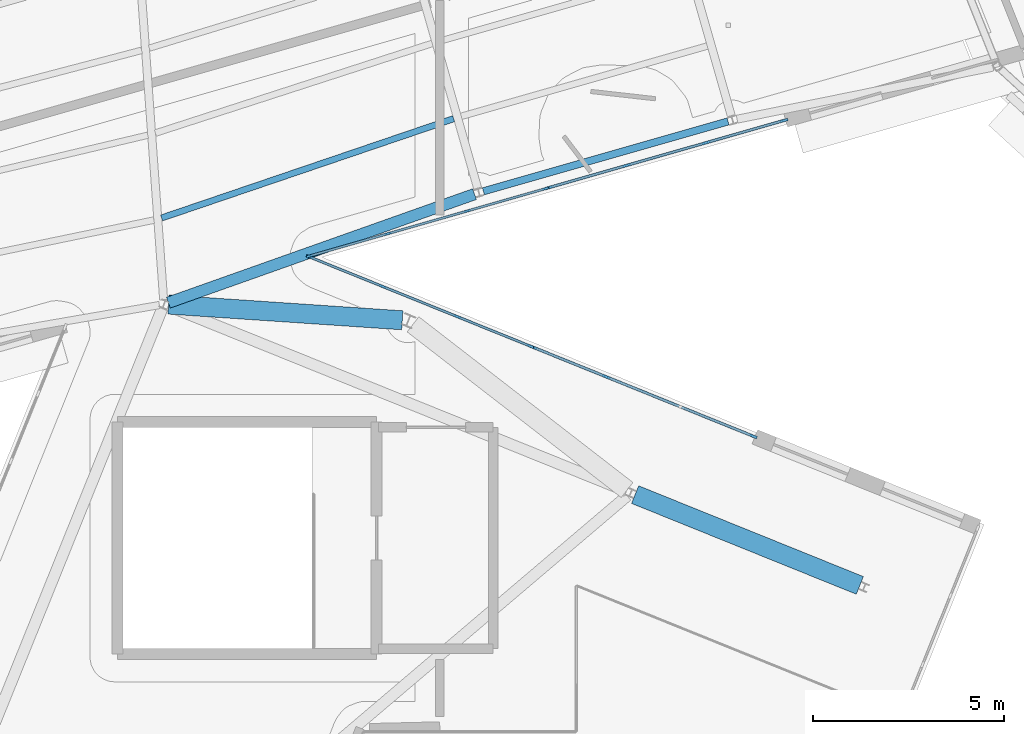
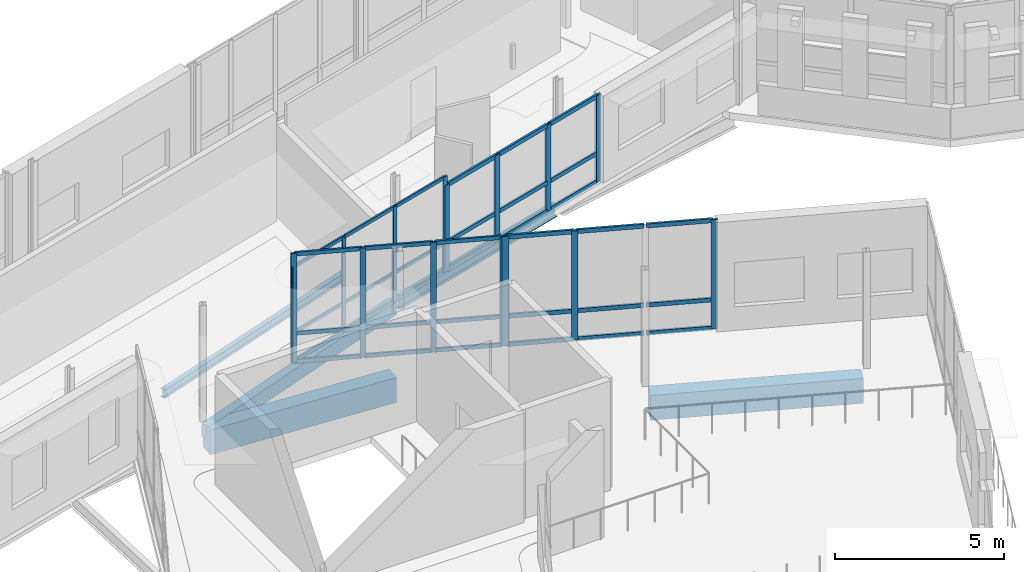
# One storey, part 44 of 125: 51 members, 5 beams, 4 elements without a shape of their own.
"""IFC4 building model written with IfcOpenShell, lengths in metres."""

from ifc_helpers import new_model, si_unit, direction, frame, origin, origin_2d, place, context, subcontext, project, spatial, rectangle, i_section, extrude, material, material_profile, profile_set, type_object, element, aggregate, save


model = new_model("IFC4")

# Units and contexts
model_context = context("Model", 3, precision=1e-05, world=origin(), true_north=direction((0.0, 1.0)))
body_context = subcontext(model_context, "Body", "Model", "MODEL_VIEW")
ifc_project = project(units=[si_unit("LENGTHUNIT", "METRE"), si_unit("AREAUNIT", "SQUARE_METRE"), si_unit("VOLUMEUNIT", "CUBIC_METRE"), si_unit("PLANEANGLEUNIT", "RADIAN"), si_unit("MASSUNIT", "GRAM", prefix="KILO")], contexts=[model_context])

# Site, building, storey
site_placement = place(None, origin())
site = spatial("IfcSite", under=ifc_project, at=site_placement, CompositionType="ELEMENT")
building_placement = place(site_placement, origin())
building = spatial("IfcBuilding", under=site, at=building_placement, Name="Wrenclough Park School", CompositionType="ELEMENT")
storey_placement = place(building_placement, frame((0.0, 0.0, 4.199951171875)))
storey = spatial("IfcBuildingStorey", under=building, at=storey_placement, Name="L01", CompositionType="ELEMENT", Elevation=4.199951171875)

# Curtain wall, members
ifc_material_1 = material(Name="Thermally broken aluminium and low-e glass curtain wall", Category="aluminium")
curtain_wall_type_1 = type_object("IfcCurtainWallType", Name="ENV-CW-12", PredefinedType="USERDEFINED", material=ifc_material_1)
curtain_wall_1_placement = place(storey_placement, origin())
curtain_wall_1 = element("IfcCurtainWall", 1, at=curtain_wall_1_placement, inside=storey, type_object=curtain_wall_type_1, Name="L01 recessed curtain wall assembly 171", ObjectType="CURTAIN WALL", PredefinedType="USERDEFINED")
ifc_material_2 = material(Name="Thermally broken anodised aluminium", Category="aluminium")
ifc_material_profile_1 = material_profile(ifc_material_2, rectangle(XDim=0.06005859375, YDim=0.159912109375, at=origin_2d()), Name="AL MULLION 60x160")
ifc_profile_set_1 = profile_set([ifc_material_profile_1], Name="Thermally broken anodised aluminium")
member_type_1 = type_object("IfcMemberType", Name="ENV-CWM-1", PredefinedType="MULLION", material=ifc_profile_set_1)
member_1_placement = place(storey_placement, frame((59.27734375, 97.062744140625, 0.0), z_axis=(0.0, 0.0, 1.0), x_axis=(0.274723159598, -0.961523367152, 0.0)))
member_1 = element("IfcMember", 2, at=member_1_placement, type_object=member_type_1, Name="CW-12 mullion 1", PredefinedType="MULLION", context=body_context, shape_type="SweptSolid", body=[
    extrude(rectangle(XDim=0.06005859375, YDim=0.159912109375, at=origin_2d()), origin(), (0.0, 0.0, 1.0), 3.45703125),
])
member_2_placement = place(storey_placement, frame((57.22265625, 96.475830078125, 0.0), z_axis=(0.0, 0.0, 1.0), x_axis=(0.274723159598, -0.961523367152, 0.0)))
member_2 = element("IfcMember", 3, at=member_2_placement, type_object=member_type_1, Name="CW-12 mullion 2", PredefinedType="MULLION", context=body_context, shape_type="SweptSolid", body=[
    extrude(rectangle(XDim=0.06005859375, YDim=0.159912109375, at=origin_2d()), origin(), (0.0, 0.0, 1.0), 3.45703125),
])
member_3_placement = place(storey_placement, frame((55.13916015625, 95.880615234375, 0.0), z_axis=(0.0, 0.0, 1.0), x_axis=(0.274723159598, -0.961523367152, 0.0)))
member_3 = element("IfcMember", 4, at=member_3_placement, type_object=member_type_1, Name="CW-12 mullion 3", PredefinedType="MULLION", context=body_context, shape_type="SweptSolid", body=[
    extrude(rectangle(XDim=0.06005859375, YDim=0.159912109375, at=origin_2d()), origin(), (0.0, 0.0, 1.0), 3.45703125),
])
member_4_placement = place(storey_placement, frame((53.08447265625, 95.29345703125, 0.0), z_axis=(0.0, 0.0, 1.0), x_axis=(0.274723159598, -0.961523367152, 0.0)))
member_4 = element("IfcMember", 5, at=member_4_placement, type_object=member_type_1, Name="CW-12 mullion 4", PredefinedType="MULLION", context=body_context, shape_type="SweptSolid", body=[
    extrude(rectangle(XDim=0.06005859375, YDim=0.159912109375, at=origin_2d()), origin(), (0.0, 0.0, 1.0), 3.45703125),
])

curtain_wall_type_2 = type_object("IfcCurtainWallType", Name="ENV-CW-13", PredefinedType="USERDEFINED", material=ifc_material_1)
curtain_wall_2_placement = place(storey_placement, origin())
curtain_wall_2 = element("IfcCurtainWall", 6, at=curtain_wall_2_placement, inside=storey, type_object=curtain_wall_type_2, Name="L01 recessed curtain wall assembly 172", ObjectType="CURTAIN WALL", PredefinedType="USERDEFINED")
ifc_material_profile_2 = material_profile(ifc_material_2, rectangle(XDim=0.06494140625, YDim=0.179931640625, at=origin_2d()), Name="AL MULLION 65x180")
ifc_profile_set_2 = profile_set([ifc_material_profile_2], Name="Thermally broken anodised aluminium")
member_type_2 = type_object("IfcMemberType", Name="ENV-CWM-2", PredefinedType="MULLION", material=ifc_profile_set_2)
member_5_placement = place(storey_placement, frame((53.085693359375, 95.2705078125, 0.0), z_axis=(0.0, 0.0, 1.0), x_axis=(0.3746064653, 0.927183906329, 0.0)))
member_5 = element("IfcMember", 7, at=member_5_placement, type_object=member_type_2, Name="CW-13 mullion 1", PredefinedType="MULLION", context=body_context, shape_type="SweptSolid", body=[
    extrude(rectangle(XDim=0.06494140625, YDim=0.179931640625, at=origin_2d()), origin(), (0.0, 0.0, 1.0), 3.93994140625),
])
member_6_placement = place(storey_placement, frame((55.00439453125, 94.4951171875, 0.0), z_axis=(0.0, 0.0, 1.0), x_axis=(0.3746064653, 0.927183906329, 0.0)))
member_6 = element("IfcMember", 8, at=member_6_placement, type_object=member_type_2, Name="CW-13 mullion 2", PredefinedType="MULLION", context=body_context, shape_type="SweptSolid", body=[
    extrude(rectangle(XDim=0.06494140625, YDim=0.179931640625, at=origin_2d()), origin(), (0.0, 0.0, 1.0), 3.93994140625),
])
member_7_placement = place(storey_placement, frame((56.953369140625, 93.707763671875, 0.0), z_axis=(0.0, 0.0, 1.0), x_axis=(0.3746064653, 0.927183906329, 0.0)))
member_7 = element("IfcMember", 9, at=member_7_placement, type_object=member_type_2, Name="CW-13 mullion 3", PredefinedType="MULLION", context=body_context, shape_type="SweptSolid", body=[
    extrude(rectangle(XDim=0.06494140625, YDim=0.179931640625, at=origin_2d()), origin(), (0.0, 0.0, 1.0), 3.93994140625),
])
member_8_placement = place(storey_placement, frame((58.872314453125, 92.932373046875, 0.0), z_axis=(0.0, 0.0, 1.0), x_axis=(0.3746064653, 0.927183906329, 0.0)))
member_8 = element("IfcMember", 10, at=member_8_placement, type_object=member_type_2, Name="CW-13 mullion 4", PredefinedType="MULLION", context=body_context, shape_type="SweptSolid", body=[
    extrude(rectangle(XDim=0.06494140625, YDim=0.179931640625, at=origin_2d()), origin(), (0.0, 0.0, 1.0), 3.93994140625),
])

curtain_wall_type_3 = type_object("IfcCurtainWallType", Name="ENV-CW-11", PredefinedType="USERDEFINED", material=ifc_material_1)
curtain_wall_3_placement = place(storey_placement, origin())
curtain_wall_3 = element("IfcCurtainWall", 11, at=curtain_wall_3_placement, inside=storey, type_object=curtain_wall_type_3, Name="L01 recessed curtain wall assembly 170", ObjectType="CURTAIN WALL", PredefinedType="USERDEFINED")
ifc_material_profile_3 = material_profile(ifc_material_2, rectangle(XDim=0.070068359375, YDim=0.199951171875, at=origin_2d()), Name="AL MULLION 70x200")
ifc_profile_set_3 = profile_set([ifc_material_profile_3], Name="Thermally broken anodised aluminium")
member_type_3 = type_object("IfcMemberType", Name="ENV-CWM-3", PredefinedType="MULLION", material=ifc_profile_set_3)
member_9_placement = place(storey_placement, frame((65.53076171875, 98.849365234375, 0.0), z_axis=(0.0, 0.0, 1.0), x_axis=(0.274708937607, -0.961527430497, 0.0)))
member_9 = element("IfcMember", 12, at=member_9_placement, type_object=member_type_3, Name="CW-11 mullion 1", PredefinedType="MULLION", context=body_context, shape_type="SweptSolid", body=[
    extrude(rectangle(XDim=0.070068359375, YDim=0.199951171875, at=origin_2d()), origin(), (0.0, 0.0, 1.0), 3.132080078125),
])
member_10_placement = place(storey_placement, frame((63.48095703125, 98.263916015625, 0.0), z_axis=(0.0, 0.0, 1.0), x_axis=(0.274708937607, -0.961527430497, 0.0)))
member_10 = element("IfcMember", 13, at=member_10_placement, type_object=member_type_3, Name="CW-11 mullion 2", PredefinedType="MULLION", context=body_context, shape_type="SweptSolid", body=[
    extrude(rectangle(XDim=0.070068359375, YDim=0.199951171875, at=origin_2d()), origin(), (0.0, 0.0, 1.0), 3.132080078125),
])
member_11_placement = place(storey_placement, frame((61.397216796875, 97.66845703125, 0.0), z_axis=(0.0, 0.0, 1.0), x_axis=(0.274708937607, -0.961527430497, 0.0)))
member_11 = element("IfcMember", 14, at=member_11_placement, type_object=member_type_3, Name="CW-11 mullion 3", PredefinedType="MULLION", context=body_context, shape_type="SweptSolid", body=[
    extrude(rectangle(XDim=0.070068359375, YDim=0.199951171875, at=origin_2d()), origin(), (0.0, 0.0, 1.0), 3.132080078125),
])
member_12_placement = place(storey_placement, frame((59.347412109375, 97.0830078125, 0.0), z_axis=(0.0, 0.0, 1.0), x_axis=(0.274708937607, -0.961527430497, 0.0)))
member_12 = element("IfcMember", 15, at=member_12_placement, type_object=member_type_3, Name="CW-11 mullion 4", PredefinedType="MULLION", context=body_context, shape_type="SweptSolid", body=[
    extrude(rectangle(XDim=0.070068359375, YDim=0.199951171875, at=origin_2d()), origin(), (0.0, 0.0, 1.0), 3.132080078125),
])

curtain_wall_type_4 = type_object("IfcCurtainWallType", Name="ENV-CW-14", PredefinedType="USERDEFINED", material=ifc_material_1)
curtain_wall_4_placement = place(storey_placement, origin())
curtain_wall_4 = element("IfcCurtainWall", 16, at=curtain_wall_4_placement, inside=storey, type_object=curtain_wall_type_4, Name="L01 recessed curtain wall assembly 173", ObjectType="CURTAIN WALL", PredefinedType="USERDEFINED")
member_13_placement = place(storey_placement, frame((58.942138671875, 92.904296875, 0.0), z_axis=(0.0, 0.0, 1.0), x_axis=(0.374592832791, 0.927189414101, 0.0)))
member_13 = element("IfcMember", 17, at=member_13_placement, type_object=member_type_3, Name="CW-14 mullion 1", PredefinedType="MULLION", context=body_context, shape_type="SweptSolid", body=[
    extrude(rectangle(XDim=0.070068359375, YDim=0.199951171875, at=origin_2d()), origin(), (0.0, 0.0, 1.0), 3.93994140625),
])
member_14_placement = place(storey_placement, frame((60.85888671875, 92.1298828125, 0.0), z_axis=(0.0, 0.0, 1.0), x_axis=(0.374592832791, 0.927189414101, 0.0)))
member_14 = element("IfcMember", 18, at=member_14_placement, type_object=member_type_3, Name="CW-14 mullion 2", PredefinedType="MULLION", context=body_context, shape_type="SweptSolid", body=[
    extrude(rectangle(XDim=0.070068359375, YDim=0.199951171875, at=origin_2d()), origin(), (0.0, 0.0, 1.0), 3.93994140625),
])
member_15_placement = place(storey_placement, frame((64.724365234375, 90.568115234375, 0.0), z_axis=(0.0, 0.0, 1.0), x_axis=(0.374592832791, 0.927189414101, 0.0)))
member_15 = element("IfcMember", 19, at=member_15_placement, type_object=member_type_3, Name="CW-14 mullion 4", PredefinedType="MULLION", context=body_context, shape_type="SweptSolid", body=[
    extrude(rectangle(XDim=0.070068359375, YDim=0.199951171875, at=origin_2d()), origin(), (0.0, 0.0, 1.0), 3.93994140625),
])

# Member
ifc_material_profile_4 = material_profile(ifc_material_2, rectangle(XDim=0.06005859375, YDim=0.1201171875, at=origin_2d()), Name="AL TRANSOM 60x120")
ifc_profile_set_4 = profile_set([ifc_material_profile_4], Name="Thermally broken anodised aluminium")
member_type_4 = type_object("IfcMemberType", Name="ENV-CWT-1", PredefinedType="USERDEFINED", material=ifc_profile_set_4)
member_16_placement = place(storey_placement, frame((59.24853515625, 97.0546875, 0.030029296875), z_axis=(-0.961528383223, -0.274705602884, 0.0), x_axis=(0.274705602884, -0.961528383223, 0.0)))
member_16 = element("IfcMember", 20, at=member_16_placement, type_object=member_type_4, Name="CW-12 transom 1.1", ObjectType="TRANSOM", PredefinedType="USERDEFINED", context=body_context, shape_type="SweptSolid", body=[
    extrude(rectangle(XDim=0.06005859375, YDim=0.1201171875, at=origin_2d()), origin(), (0.0, 0.0, 1.0), 2.076904296875),
])

member_17_placement = place(storey_placement, frame((59.24853515625, 97.0546875, 1.050048828125), z_axis=(-0.961528383223, -0.274705602884, 0.0), x_axis=(0.274705602884, -0.961528383223, 0.0)))
member_17 = element("IfcMember", 21, at=member_17_placement, type_object=member_type_4, Name="CW-12 transom 1.2", ObjectType="TRANSOM", PredefinedType="USERDEFINED", context=body_context, shape_type="SweptSolid", body=[
    extrude(rectangle(XDim=0.06005859375, YDim=0.1201171875, at=origin_2d()), origin(), (0.0, 0.0, 1.0), 2.076904296875),
])

member_18_placement = place(storey_placement, frame((59.24853515625, 97.0546875, 3.427001953125), z_axis=(-0.961528383223, -0.274705602884, 0.0), x_axis=(0.274705602884, -0.961528383223, 0.0)))
member_18 = element("IfcMember", 22, at=member_18_placement, type_object=member_type_4, Name="CW-12 transom 1.3", ObjectType="TRANSOM", PredefinedType="USERDEFINED", context=body_context, shape_type="SweptSolid", body=[
    extrude(rectangle(XDim=0.06005859375, YDim=0.1201171875, at=origin_2d()), origin(), (0.0, 0.0, 1.0), 2.076904296875),
])

member_19_placement = place(storey_placement, frame((57.19384765625, 96.467529296875, 0.030029296875), z_axis=(-0.961519574928, -0.27473643193, 0.0), x_axis=(0.27473643193, -0.961519574928, 0.0)))
member_19 = element("IfcMember", 23, at=member_19_placement, type_object=member_type_4, Name="CW-12 transom 2.1", ObjectType="TRANSOM", PredefinedType="USERDEFINED", context=body_context, shape_type="SweptSolid", body=[
    extrude(rectangle(XDim=0.06005859375, YDim=0.1201171875, at=origin_2d()), origin(), (0.0, 0.0, 1.0), 2.10693359375),
])

member_20_placement = place(storey_placement, frame((57.19384765625, 96.467529296875, 1.050048828125), z_axis=(-0.961519574928, -0.27473643193, 0.0), x_axis=(0.27473643193, -0.961519574928, 0.0)))
member_20 = element("IfcMember", 24, at=member_20_placement, type_object=member_type_4, Name="CW-12 transom 2.2", ObjectType="TRANSOM", PredefinedType="USERDEFINED", context=body_context, shape_type="SweptSolid", body=[
    extrude(rectangle(XDim=0.06005859375, YDim=0.1201171875, at=origin_2d()), origin(), (0.0, 0.0, 1.0), 2.10693359375),
])

member_21_placement = place(storey_placement, frame((57.19384765625, 96.467529296875, 3.427001953125), z_axis=(-0.961519574928, -0.27473643193, 0.0), x_axis=(0.27473643193, -0.961519574928, 0.0)))
member_21 = element("IfcMember", 25, at=member_21_placement, type_object=member_type_4, Name="CW-12 transom 2.3", ObjectType="TRANSOM", PredefinedType="USERDEFINED", context=body_context, shape_type="SweptSolid", body=[
    extrude(rectangle(XDim=0.06005859375, YDim=0.1201171875, at=origin_2d()), origin(), (0.0, 0.0, 1.0), 2.10693359375),
])

member_22_placement = place(storey_placement, frame((55.1103515625, 95.872314453125, 0.030029296875), z_axis=(-0.961528383223, -0.274705602884, 0.0), x_axis=(0.274705602884, -0.961528383223, 0.0)))
member_22 = element("IfcMember", 26, at=member_22_placement, type_object=member_type_4, Name="CW-12 transom 3.1", ObjectType="TRANSOM", PredefinedType="USERDEFINED", context=body_context, shape_type="SweptSolid", body=[
    extrude(rectangle(XDim=0.06005859375, YDim=0.1201171875, at=origin_2d()), origin(), (0.0, 0.0, 1.0), 2.076904296875),
])

member_23_placement = place(storey_placement, frame((55.1103515625, 95.872314453125, 1.050048828125), z_axis=(-0.961528383223, -0.274705602884, 0.0), x_axis=(0.274705602884, -0.961528383223, 0.0)))
member_23 = element("IfcMember", 27, at=member_23_placement, type_object=member_type_4, Name="CW-12 transom 3.2", ObjectType="TRANSOM", PredefinedType="USERDEFINED", context=body_context, shape_type="SweptSolid", body=[
    extrude(rectangle(XDim=0.06005859375, YDim=0.1201171875, at=origin_2d()), origin(), (0.0, 0.0, 1.0), 2.076904296875),
])

member_24_placement = place(storey_placement, frame((55.1103515625, 95.872314453125, 3.427001953125), z_axis=(-0.961528383223, -0.274705602884, 0.0), x_axis=(0.274705602884, -0.961528383223, 0.0)))
member_24 = element("IfcMember", 28, at=member_24_placement, type_object=member_type_4, Name="CW-12 transom 3.3", ObjectType="TRANSOM", PredefinedType="USERDEFINED", context=body_context, shape_type="SweptSolid", body=[
    extrude(rectangle(XDim=0.06005859375, YDim=0.1201171875, at=origin_2d()), origin(), (0.0, 0.0, 1.0), 2.076904296875),
])

aggregate(curtain_wall_1, [member_1, member_2, member_3, member_4, member_16, member_17, member_18, member_19, member_20, member_21, member_22, member_23, member_24])

ifc_material_profile_5 = material_profile(ifc_material_2, rectangle(XDim=0.06494140625, YDim=0.139892578125, at=origin_2d()), Name="AL TRANSOM 65x140")
ifc_profile_set_5 = profile_set([ifc_material_profile_5], Name="Thermally broken anodised aluminium")
member_type_5 = type_object("IfcMemberType", Name="ENV-CWT-2", PredefinedType="USERDEFINED", material=ifc_profile_set_5)
member_25_placement = place(storey_placement, frame((53.11572265625, 95.25830078125, 0.032470703125), z_axis=(0.927177579424, -0.374622124564, 0.0), x_axis=(0.374622124564, 0.927177579424, 0.0)))
member_25 = element("IfcMember", 29, at=member_25_placement, type_object=member_type_5, Name="CW-13 transom 1.1", ObjectType="TRANSOM", PredefinedType="USERDEFINED", context=body_context, shape_type="SweptSolid", body=[
    extrude(rectangle(XDim=0.06494140625, YDim=0.139892578125, at=origin_2d()), origin(), (0.0, 0.0, 1.0), 2.004638671875),
])

member_26_placement = place(storey_placement, frame((53.11572265625, 95.25830078125, 1.050048828125), z_axis=(0.927177579424, -0.374622124564, 0.0), x_axis=(0.374622124564, 0.927177579424, 0.0)))
member_26 = element("IfcMember", 30, at=member_26_placement, type_object=member_type_5, Name="CW-13 transom 1.2", ObjectType="TRANSOM", PredefinedType="USERDEFINED", context=body_context, shape_type="SweptSolid", body=[
    extrude(rectangle(XDim=0.06494140625, YDim=0.139892578125, at=origin_2d()), origin(), (0.0, 0.0, 1.0), 2.004638671875),
])

member_27_placement = place(storey_placement, frame((53.11572265625, 95.25830078125, 3.907470703125), z_axis=(0.927177579424, -0.374622124564, 0.0), x_axis=(0.374622124564, 0.927177579424, 0.0)))
member_27 = element("IfcMember", 31, at=member_27_placement, type_object=member_type_5, Name="CW-13 transom 1.3", ObjectType="TRANSOM", PredefinedType="USERDEFINED", context=body_context, shape_type="SweptSolid", body=[
    extrude(rectangle(XDim=0.06494140625, YDim=0.139892578125, at=origin_2d()), origin(), (0.0, 0.0, 1.0), 2.004638671875),
])

member_28_placement = place(storey_placement, frame((55.03466796875, 94.48291015625, 0.032470703125), z_axis=(0.92720661933, -0.374550243719, 0.0), x_axis=(0.374550243719, 0.92720661933, 0.0)))
member_28 = element("IfcMember", 32, at=member_28_placement, type_object=member_type_5, Name="CW-13 transom 2.1", ObjectType="TRANSOM", PredefinedType="USERDEFINED", context=body_context, shape_type="SweptSolid", body=[
    extrude(rectangle(XDim=0.06494140625, YDim=0.139892578125, at=origin_2d()), origin(), (0.0, 0.0, 1.0), 2.036865234375),
])

member_29_placement = place(storey_placement, frame((55.03466796875, 94.48291015625, 1.050048828125), z_axis=(0.92720661933, -0.374550243719, 0.0), x_axis=(0.374550243719, 0.92720661933, 0.0)))
member_29 = element("IfcMember", 33, at=member_29_placement, type_object=member_type_5, Name="CW-13 transom 2.2", ObjectType="TRANSOM", PredefinedType="USERDEFINED", context=body_context, shape_type="SweptSolid", body=[
    extrude(rectangle(XDim=0.06494140625, YDim=0.139892578125, at=origin_2d()), origin(), (0.0, 0.0, 1.0), 2.036865234375),
])

member_30_placement = place(storey_placement, frame((55.03466796875, 94.48291015625, 3.907470703125), z_axis=(0.92720661933, -0.374550243719, 0.0), x_axis=(0.374550243719, 0.92720661933, 0.0)))
member_30 = element("IfcMember", 34, at=member_30_placement, type_object=member_type_5, Name="CW-13 transom 2.3", ObjectType="TRANSOM", PredefinedType="USERDEFINED", context=body_context, shape_type="SweptSolid", body=[
    extrude(rectangle(XDim=0.06494140625, YDim=0.139892578125, at=origin_2d()), origin(), (0.0, 0.0, 1.0), 2.036865234375),
])

member_31_placement = place(storey_placement, frame((56.983642578125, 93.695556640625, 0.032470703125), z_axis=(0.927160484487, -0.374664431198, 0.0), x_axis=(0.374664431198, 0.927160484487, 0.0)))
member_31 = element("IfcMember", 35, at=member_31_placement, type_object=member_type_5, Name="CW-13 transom 3.1", ObjectType="TRANSOM", PredefinedType="USERDEFINED", context=body_context, shape_type="SweptSolid", body=[
    extrude(rectangle(XDim=0.06494140625, YDim=0.139892578125, at=origin_2d()), origin(), (0.0, 0.0, 1.0), 2.00439453125),
])

member_32_placement = place(storey_placement, frame((56.983642578125, 93.695556640625, 1.050048828125), z_axis=(0.927160484487, -0.374664431198, 0.0), x_axis=(0.374664431198, 0.927160484487, 0.0)))
member_32 = element("IfcMember", 36, at=member_32_placement, type_object=member_type_5, Name="CW-13 transom 3.2", ObjectType="TRANSOM", PredefinedType="USERDEFINED", context=body_context, shape_type="SweptSolid", body=[
    extrude(rectangle(XDim=0.06494140625, YDim=0.139892578125, at=origin_2d()), origin(), (0.0, 0.0, 1.0), 2.00439453125),
])

member_33_placement = place(storey_placement, frame((56.983642578125, 93.695556640625, 3.907470703125), z_axis=(0.927160484487, -0.374664431198, 0.0), x_axis=(0.374664431198, 0.927160484487, 0.0)))
member_33 = element("IfcMember", 37, at=member_33_placement, type_object=member_type_5, Name="CW-13 transom 3.3", ObjectType="TRANSOM", PredefinedType="USERDEFINED", context=body_context, shape_type="SweptSolid", body=[
    extrude(rectangle(XDim=0.06494140625, YDim=0.139892578125, at=origin_2d()), origin(), (0.0, 0.0, 1.0), 2.00439453125),
])

aggregate(curtain_wall_2, [member_5, member_6, member_7, member_8, member_25, member_26, member_27, member_28, member_29, member_30, member_31, member_32, member_33])

ifc_material_profile_6 = material_profile(ifc_material_2, rectangle(XDim=0.070068359375, YDim=0.14990234375, at=origin_2d()), Name="AL TRANSOM 70x150")
ifc_profile_set_6 = profile_set([ifc_material_profile_6], Name="Thermally broken anodised aluminium")
member_type_6 = type_object("IfcMemberType", Name="ENV-CWT-3", PredefinedType="USERDEFINED", material=ifc_profile_set_6)
member_34_placement = place(storey_placement, frame((65.4970703125, 98.83984375, 0.03515625), z_axis=(-0.961532883041, -0.274689852069, 0.0), x_axis=(0.274689852069, -0.961532883041, 0.0)))
member_34 = element("IfcMember", 38, at=member_34_placement, type_object=member_type_6, Name="CW-11 transom 1.1", ObjectType="TRANSOM", PredefinedType="USERDEFINED", context=body_context, shape_type="SweptSolid", body=[
    extrude(rectangle(XDim=0.070068359375, YDim=0.14990234375, at=origin_2d()), origin(), (0.0, 0.0, 1.0), 2.06201171875),
])

member_35_placement = place(storey_placement, frame((65.4970703125, 98.83984375, 1.050048828125), z_axis=(-0.961532883041, -0.274689852069, 0.0), x_axis=(0.274689852069, -0.961532883041, 0.0)))
member_35 = element("IfcMember", 39, at=member_35_placement, type_object=member_type_6, Name="CW-11 transom 1.2", ObjectType="TRANSOM", PredefinedType="USERDEFINED", context=body_context, shape_type="SweptSolid", body=[
    extrude(rectangle(XDim=0.070068359375, YDim=0.14990234375, at=origin_2d()), origin(), (0.0, 0.0, 1.0), 2.06201171875),
])

member_36_placement = place(storey_placement, frame((65.4970703125, 98.83984375, 3.09716796875), z_axis=(-0.961532883041, -0.274689852069, 0.0), x_axis=(0.274689852069, -0.961532883041, 0.0)))
member_36 = element("IfcMember", 40, at=member_36_placement, type_object=member_type_6, Name="CW-11 transom 1.3", ObjectType="TRANSOM", PredefinedType="USERDEFINED", context=body_context, shape_type="SweptSolid", body=[
    extrude(rectangle(XDim=0.070068359375, YDim=0.14990234375, at=origin_2d()), origin(), (0.0, 0.0, 1.0), 2.06201171875),
])

member_37_placement = place(storey_placement, frame((63.447265625, 98.254150390625, 0.03515625), z_axis=(-0.961545911362, -0.274644243238, 0.0), x_axis=(0.274644243238, -0.961545911362, 0.0)))
member_37 = element("IfcMember", 41, at=member_37_placement, type_object=member_type_6, Name="CW-11 transom 2.1", ObjectType="TRANSOM", PredefinedType="USERDEFINED", context=body_context, shape_type="SweptSolid", body=[
    extrude(rectangle(XDim=0.070068359375, YDim=0.14990234375, at=origin_2d()), origin(), (0.0, 0.0, 1.0), 2.096923828125),
])

member_38_placement = place(storey_placement, frame((63.447265625, 98.254150390625, 1.050048828125), z_axis=(-0.961545911362, -0.274644243238, 0.0), x_axis=(0.274644243238, -0.961545911362, 0.0)))
member_38 = element("IfcMember", 42, at=member_38_placement, type_object=member_type_6, Name="CW-11 transom 2.2", ObjectType="TRANSOM", PredefinedType="USERDEFINED", context=body_context, shape_type="SweptSolid", body=[
    extrude(rectangle(XDim=0.070068359375, YDim=0.14990234375, at=origin_2d()), origin(), (0.0, 0.0, 1.0), 2.096923828125),
])

member_39_placement = place(storey_placement, frame((63.447265625, 98.254150390625, 3.09716796875), z_axis=(-0.961545911362, -0.274644243238, 0.0), x_axis=(0.274644243238, -0.961545911362, 0.0)))
member_39 = element("IfcMember", 43, at=member_39_placement, type_object=member_type_6, Name="CW-11 transom 2.3", ObjectType="TRANSOM", PredefinedType="USERDEFINED", context=body_context, shape_type="SweptSolid", body=[
    extrude(rectangle(XDim=0.070068359375, YDim=0.14990234375, at=origin_2d()), origin(), (0.0, 0.0, 1.0), 2.096923828125),
])

member_40_placement = place(storey_placement, frame((61.36376953125, 97.658935546875, 0.03515625), z_axis=(-0.961532883041, -0.274689852069, 0.0), x_axis=(0.274689852069, -0.961532883041, 0.0)))
member_40 = element("IfcMember", 44, at=member_40_placement, type_object=member_type_6, Name="CW-11 transom 3.1", ObjectType="TRANSOM", PredefinedType="USERDEFINED", context=body_context, shape_type="SweptSolid", body=[
    extrude(rectangle(XDim=0.070068359375, YDim=0.14990234375, at=origin_2d()), origin(), (0.0, 0.0, 1.0), 2.06201171875),
])

member_41_placement = place(storey_placement, frame((61.36376953125, 97.658935546875, 1.050048828125), z_axis=(-0.961532883041, -0.274689852069, 0.0), x_axis=(0.274689852069, -0.961532883041, 0.0)))
member_41 = element("IfcMember", 45, at=member_41_placement, type_object=member_type_6, Name="CW-11 transom 3.2", ObjectType="TRANSOM", PredefinedType="USERDEFINED", context=body_context, shape_type="SweptSolid", body=[
    extrude(rectangle(XDim=0.070068359375, YDim=0.14990234375, at=origin_2d()), origin(), (0.0, 0.0, 1.0), 2.06201171875),
])

member_42_placement = place(storey_placement, frame((61.36376953125, 97.658935546875, 3.09716796875), z_axis=(-0.961532883041, -0.274689852069, 0.0), x_axis=(0.274689852069, -0.961532883041, 0.0)))
member_42 = element("IfcMember", 46, at=member_42_placement, type_object=member_type_6, Name="CW-11 transom 3.3", ObjectType="TRANSOM", PredefinedType="USERDEFINED", context=body_context, shape_type="SweptSolid", body=[
    extrude(rectangle(XDim=0.070068359375, YDim=0.14990234375, at=origin_2d()), origin(), (0.0, 0.0, 1.0), 2.06201171875),
])

aggregate(curtain_wall_3, [member_9, member_10, member_11, member_12, member_34, member_35, member_36, member_37, member_38, member_39, member_40, member_41, member_42])

member_43_placement = place(storey_placement, frame((58.974609375, 92.89111328125, 0.03515625), z_axis=(0.927206734572, -0.374549958435, 0.0), x_axis=(0.374549958435, 0.927206734572, 0.0)))
member_43 = element("IfcMember", 47, at=member_43_placement, type_object=member_type_6, Name="CW-14 transom 1.1", ObjectType="TRANSOM", PredefinedType="USERDEFINED", context=body_context, shape_type="SweptSolid", body=[
    extrude(rectangle(XDim=0.070068359375, YDim=0.14990234375, at=origin_2d()), origin(), (0.0, 0.0, 1.0), 1.9970703125),
])

member_44_placement = place(storey_placement, frame((58.974609375, 92.89111328125, 1.050048828125), z_axis=(0.927206734572, -0.374549958435, 0.0), x_axis=(0.374549958435, 0.927206734572, 0.0)))
member_44 = element("IfcMember", 48, at=member_44_placement, type_object=member_type_6, Name="CW-14 transom 1.2", ObjectType="TRANSOM", PredefinedType="USERDEFINED", context=body_context, shape_type="SweptSolid", body=[
    extrude(rectangle(XDim=0.070068359375, YDim=0.14990234375, at=origin_2d()), origin(), (0.0, 0.0, 1.0), 1.9970703125),
])

member_45_placement = place(storey_placement, frame((58.974609375, 92.89111328125, 3.905029296875), z_axis=(0.927206734572, -0.374549958435, 0.0), x_axis=(0.374549958435, 0.927206734572, 0.0)))
member_45 = element("IfcMember", 49, at=member_45_placement, type_object=member_type_6, Name="CW-14 transom 1.3", ObjectType="TRANSOM", PredefinedType="USERDEFINED", context=body_context, shape_type="SweptSolid", body=[
    extrude(rectangle(XDim=0.070068359375, YDim=0.14990234375, at=origin_2d()), origin(), (0.0, 0.0, 1.0), 1.9970703125),
])

member_46_placement = place(storey_placement, frame((60.89111328125, 92.11669921875, 0.03515625), z_axis=(0.927237023809, -0.374474968025, 0.0), x_axis=(0.374474968025, 0.927237023809, 0.0)))
member_46 = element("IfcMember", 50, at=member_46_placement, type_object=member_type_6, Name="CW-14 transom 2.1", ObjectType="TRANSOM", PredefinedType="USERDEFINED", context=body_context, shape_type="SweptSolid", body=[
    extrude(rectangle(XDim=0.070068359375, YDim=0.14990234375, at=origin_2d()), origin(), (0.0, 0.0, 1.0), 2.0322265625),
])

member_47_placement = place(storey_placement, frame((60.89111328125, 92.11669921875, 1.050048828125), z_axis=(0.927237023809, -0.374474968025, 0.0), x_axis=(0.374474968025, 0.927237023809, 0.0)))
member_47 = element("IfcMember", 51, at=member_47_placement, type_object=member_type_6, Name="CW-14 transom 2.2", ObjectType="TRANSOM", PredefinedType="USERDEFINED", context=body_context, shape_type="SweptSolid", body=[
    extrude(rectangle(XDim=0.070068359375, YDim=0.14990234375, at=origin_2d()), origin(), (0.0, 0.0, 1.0), 2.0322265625),
])

member_48_placement = place(storey_placement, frame((60.89111328125, 92.11669921875, 3.905029296875), z_axis=(0.927237023809, -0.374474968025, 0.0), x_axis=(0.374474968025, 0.927237023809, 0.0)))
member_48 = element("IfcMember", 52, at=member_48_placement, type_object=member_type_6, Name="CW-14 transom 2.3", ObjectType="TRANSOM", PredefinedType="USERDEFINED", context=body_context, shape_type="SweptSolid", body=[
    extrude(rectangle(XDim=0.070068359375, YDim=0.14990234375, at=origin_2d()), origin(), (0.0, 0.0, 1.0), 2.0322265625),
])

member_49_placement = place(storey_placement, frame((62.840087890625, 91.329345703125, 0.03515625), z_axis=(0.927206734572, -0.374549958435, 0.0), x_axis=(0.374549958435, 0.927206734572, 0.0)))
member_49 = element("IfcMember", 53, at=member_49_placement, type_object=member_type_6, Name="CW-14 transom 3.1", ObjectType="TRANSOM", PredefinedType="USERDEFINED", context=body_context, shape_type="SweptSolid", body=[
    extrude(rectangle(XDim=0.070068359375, YDim=0.14990234375, at=origin_2d()), origin(), (0.0, 0.0, 1.0), 1.9970703125),
])

member_50_placement = place(storey_placement, frame((62.840087890625, 91.329345703125, 1.050048828125), z_axis=(0.927206734572, -0.374549958435, 0.0), x_axis=(0.374549958435, 0.927206734572, 0.0)))
member_50 = element("IfcMember", 54, at=member_50_placement, type_object=member_type_6, Name="CW-14 transom 3.2", ObjectType="TRANSOM", PredefinedType="USERDEFINED", context=body_context, shape_type="SweptSolid", body=[
    extrude(rectangle(XDim=0.070068359375, YDim=0.14990234375, at=origin_2d()), origin(), (0.0, 0.0, 1.0), 1.9970703125),
])

member_51_placement = place(storey_placement, frame((62.840087890625, 91.329345703125, 3.905029296875), z_axis=(0.927206734572, -0.374549958435, 0.0), x_axis=(0.374549958435, 0.927206734572, 0.0)))
member_51 = element("IfcMember", 55, at=member_51_placement, type_object=member_type_6, Name="CW-14 transom 3.3", ObjectType="TRANSOM", PredefinedType="USERDEFINED", context=body_context, shape_type="SweptSolid", body=[
    extrude(rectangle(XDim=0.070068359375, YDim=0.14990234375, at=origin_2d()), origin(), (0.0, 0.0, 1.0), 1.9970703125),
])

aggregate(curtain_wall_4, [member_13, member_14, member_15, member_43, member_44, member_45, member_46, member_47, member_48, member_49, member_50, member_51])

# Beams
ifc_material_3 = material(Name="Concrete C32/40", Category="concrete")
ifc_material_profile_7 = material_profile(ifc_material_3, rectangle(XDim=0.300048828125, YDim=0.5, at=origin_2d()), Name="RC BEAM 300x500")
ifc_profile_set_7 = profile_set([ifc_material_profile_7], Name="Concrete C32/40")
beam_type_1 = type_object("IfcBeamType", Name="STR-BM-RC300", PredefinedType="BEAM", material=ifc_profile_set_7)
beam_1_placement = place(storey_placement, frame((49.384033203125, 94.07080078125, -0.489990234375), z_axis=(0.942506696186, 0.334187264337, 0.0), x_axis=(-0.334187264337, 0.942506696186, 0.0)))
element("IfcBeam", 56, at=beam_1_placement, inside=storey, type_object=beam_type_1, Name="W34 L01 longitudinal edge beam R3", PredefinedType="BEAM", context=body_context, shape_type="SweptSolid", body=[
    extrude(rectangle(XDim=0.300048828125, YDim=0.5, at=origin_2d()), origin(), (0.0, 0.0, 1.0), 8.516845703125),
])
ifc_material_4 = material(Name="Concrete C40/50", Category="concrete")
ifc_material_profile_8 = material_profile(ifc_material_4, rectangle(XDim=0.5, YDim=0.89990234375, at=origin_2d()), Name="RC BEAM 500x900")
ifc_profile_set_8 = profile_set([ifc_material_profile_8], Name="Concrete C40/50")
beam_type_2 = type_object("IfcBeamType", Name="STR-BM-RC500", PredefinedType="BEAM", material=ifc_profile_set_8)
beam_2_placement = place(storey_placement, frame((49.390625, 94.021728515625, -0.68994140625), z_axis=(0.997745219303, -0.067115403291, 0.0), x_axis=(0.067115403291, 0.997745219303, 0.0)))
element("IfcBeam", 57, at=beam_2_placement, inside=storey, type_object=beam_type_2, Name="W34 Dining Pavilion L01 frame girder 1.3", PredefinedType="BEAM", context=body_context, shape_type="SweptSolid", body=[
    extrude(rectangle(XDim=0.5, YDim=0.89990234375, at=origin_2d()), origin(), (0.0, 0.0, 1.0), 6.140380859375),
])
beam_3_placement = place(storey_placement, frame((61.62109375, 89.039306640625, -0.68994140625), z_axis=(0.927196942949, -0.374574196905, 0.0), x_axis=(0.374574196905, 0.927196942949, 0.0)))
element("IfcBeam", 58, at=beam_3_placement, inside=storey, type_object=beam_type_2, Name="W34 Dining Pavilion L01 frame girder 5.7", PredefinedType="BEAM", context=body_context, shape_type="SweptSolid", body=[
    extrude(rectangle(XDim=0.5, YDim=0.89990234375, at=origin_2d()), origin(), (0.0, 0.0, 1.0), 6.35546875),
])
ifc_material_5 = material(Name="Structural steel S355", Category="steel")
ifc_material_profile_9 = material_profile(ifc_material_5, i_section(OverallWidth=0.1650390625, OverallDepth=0.303466796875, WebThickness=0.006103515625, FlangeThickness=0.01025390625, FilletRadius=0.0087890625, at=origin_2d()), Name="UKB 305x165x40")
ifc_profile_set_9 = profile_set([ifc_material_profile_9], Name="Structural steel S355")
beam_type_3 = type_object("IfcBeamType", Name="STR-BM-UKB305", PredefinedType="JOIST", material=ifc_profile_set_9)
beam_4_placement = place(storey_placement, frame((49.20654296875, 96.291748046875, -0.3916015625), z_axis=(0.946773664781, 0.321900027458, 0.0), x_axis=(-0.321900027458, 0.946773664781, 0.0)))
element("IfcBeam", 59, at=beam_4_placement, inside=storey, type_object=beam_type_3, Name="W34 L01 secondary floor joist 0057", PredefinedType="JOIST", context=body_context, shape_type="SweptSolid", body=[
    extrude(i_section(OverallWidth=0.1650390625, OverallDepth=0.303466796875, WebThickness=0.006103515625, FlangeThickness=0.01025390625, FilletRadius=0.0087890625, at=origin_2d()), origin(), (0.0, 0.0, 1.0), 8.087890625),
])
ifc_material_profile_10 = material_profile(ifc_material_5, i_section(OverallWidth=0.18994140625, OverallDepth=0.453369140625, WebThickness=0.008544921875, FlangeThickness=0.0126953125, FilletRadius=0.01025390625, at=origin_2d()), Name="UKB 457x191x67")
ifc_profile_set_10 = profile_set([ifc_material_profile_10], Name="Structural steel S355")
beam_type_4 = type_object("IfcBeamType", Name="STR-BM-UKB457A", PredefinedType="BEAM", material=ifc_profile_set_10)
beam_5_placement = place(storey_placement, frame((57.643798828125, 96.991455078125, -0.466552734375), z_axis=(0.96152809018, 0.274706628596, 0.0), x_axis=(-0.274706628596, 0.96152809018, 0.0)))
element("IfcBeam", 60, at=beam_5_placement, inside=storey, type_object=beam_type_4, Name="W34 L01 longitudinal edge beam R4", PredefinedType="BEAM", context=body_context, shape_type="SweptSolid", body=[
    extrude(i_section(OverallWidth=0.18994140625, OverallDepth=0.453369140625, WebThickness=0.008544921875, FlangeThickness=0.0126953125, FilletRadius=0.01025390625, at=origin_2d()), origin(), (0.0, 0.0, 1.0), 6.671630859375),
])

save(model, "model.ifc")
